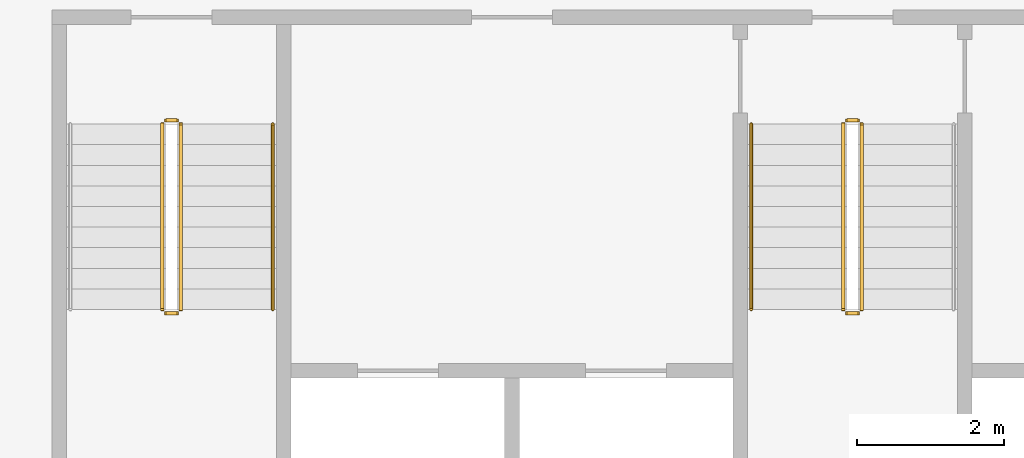
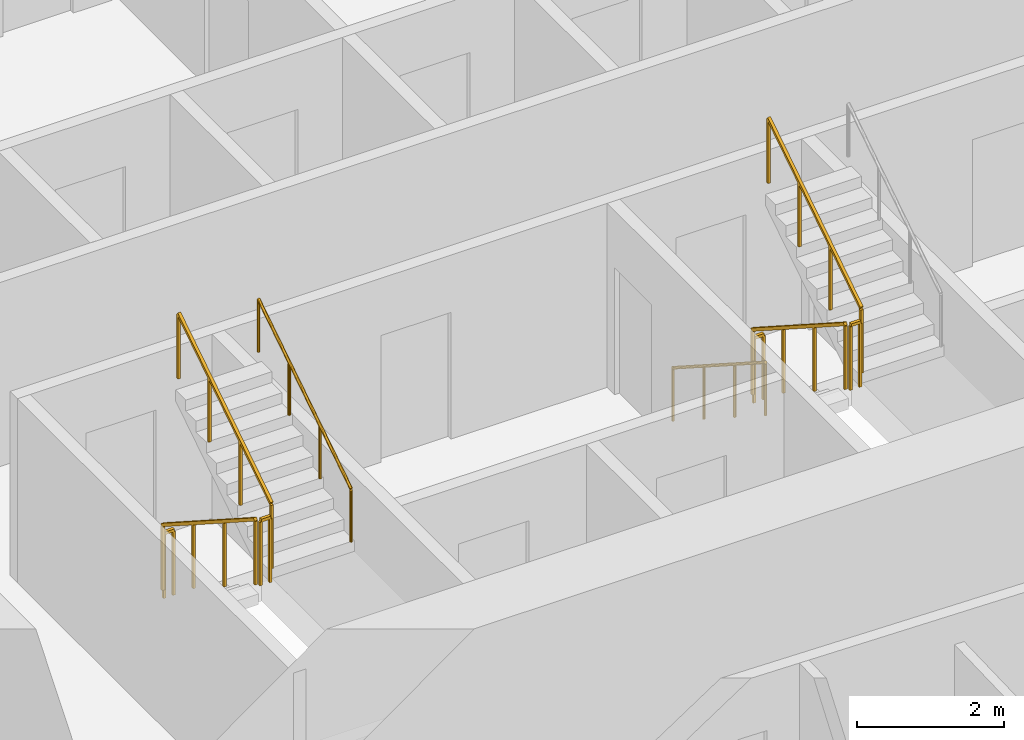
# One storey, part 14 of 16: 10 railings.
"""IFC4 building model written with IfcOpenShell, lengths in metres."""

from ifc_helpers import new_model, si_unit, direction, frame, origin, origin_2d, place, context, subcontext, project, spatial, rectangle, circle, extrude, material, type_object, element, save


model = new_model("IFC4")

# Units and contexts
model_context = context("Model", 3, precision=1e-05, world=origin(), true_north=direction((0.0, 1.0)))
body_context = subcontext(model_context, "Body", "Model", "MODEL_VIEW")
ifc_project = project(units=[si_unit("LENGTHUNIT", "METRE"), si_unit("AREAUNIT", "SQUARE_METRE"), si_unit("VOLUMEUNIT", "CUBIC_METRE"), si_unit("PLANEANGLEUNIT", "RADIAN"), si_unit("MASSUNIT", "GRAM", prefix="KILO")], contexts=[model_context])

# Site, building, storey
site_placement = place(None, origin())
site = spatial("IfcSite", under=ifc_project, at=site_placement, CompositionType="ELEMENT")
building_placement = place(site_placement, origin())
building = spatial("IfcBuilding", under=site, at=building_placement, Name="Mangrove Gate Tower", CompositionType="ELEMENT")
storey_placement = place(building_placement, frame((0.0, 0.0, 112.699951171875)))
storey = spatial("IfcBuildingStorey", under=building, at=storey_placement, Name="L28", CompositionType="ELEMENT", Elevation=112.699951171875)

# Railings
ifc_material_1 = material(Name="Stainless steel 316", Category="steel")
railing_type_1 = type_object("IfcRailingType", Name="Core stair guard 1100", PredefinedType="GUARDRAIL", material=ifc_material_1)
railing_1_placement = place(storey_placement, frame((-9.39990234375, -4.64990234375, 0.179931640625)))
element("IfcRailing", 1, at=railing_1_placement, inside=storey, type_object=railing_type_1, Name="L28 ST1 stair guard 1", PredefinedType="GUARDRAIL", context=body_context, shape_type="SweptSolid", body=[
    extrude(rectangle(XDim=0.048095703125, YDim=0.048095703125, at=origin_2d()), frame((0.0, 0.0, 1.076171875), z_axis=(0.0, -0.841162588446, 0.540782303519), x_axis=(1.0, 0.0, 0.0)), (0.0, 0.0, 1.0), 2.995849609375),
    extrude(rectangle(XDim=0.0419921875, YDim=0.0419921875, at=origin_2d()), origin(), (0.0, 0.0, 1.0), 1.052001953125),
    extrude(rectangle(XDim=0.0419921875, YDim=0.0419921875, at=origin_2d()), frame((0.0, -0.840087890625, 0.5400390625)), (0.0, 0.0, 1.0), 1.052001953125),
    extrude(rectangle(XDim=0.0419921875, YDim=0.0419921875, at=origin_2d()), frame((0.0, -1.679931640625, 1.080078125)), (0.0, 0.0, 1.0), 1.052001953125),
    extrude(rectangle(XDim=0.0419921875, YDim=0.0419921875, at=origin_2d()), frame((0.0, -2.52001953125, 1.6201171875)), (0.0, 0.0, 1.0), 1.052001953125),
])
railing_2_placement = place(storey_placement, frame((-9.35009765625, -7.219970703125, 1.800048828125)))
element("IfcRailing", 2, at=railing_2_placement, inside=storey, type_object=railing_type_1, Name="L28 ST1 stair guard 2", PredefinedType="GUARDRAIL", context=body_context, shape_type="SweptSolid", body=[
    extrude(rectangle(XDim=0.048095703125, YDim=0.048095703125, at=origin_2d()), frame((0.0, 0.0, 1.076171875), z_axis=(1.0, 0.0, 0.0), x_axis=(0.0, 1.0, 0.0)), (0.0, 0.0, 1.0), 0.150146484375),
    extrude(rectangle(XDim=0.0419921875, YDim=0.0419921875, at=origin_2d()), origin(), (0.0, 0.0, 1.0), 1.052001953125),
    extrude(rectangle(XDim=0.0419921875, YDim=0.0419921875, at=origin_2d()), frame((0.150146484375, 0.0, 0.0)), (0.0, 0.0, 1.0), 1.052001953125),
])
railing_3_placement = place(storey_placement, frame((-9.14990234375, -7.169921875, 1.97998046875)))
element("IfcRailing", 3, at=railing_3_placement, inside=storey, type_object=railing_type_1, Name="L28 ST1 stair guard 3", PredefinedType="GUARDRAIL", context=body_context, shape_type="SweptSolid", body=[
    extrude(rectangle(XDim=0.048095703125, YDim=0.048095703125, at=origin_2d()), frame((0.0, 0.0, 1.076171875), z_axis=(0.0, 0.841162588446, 0.540782303519), x_axis=(-1.0, 0.0, 0.0)), (0.0, 0.0, 1.0), 2.995849609375),
    extrude(rectangle(XDim=0.0419921875, YDim=0.0419921875, at=origin_2d()), origin(), (0.0, 0.0, 1.0), 1.052001953125),
    extrude(rectangle(XDim=0.0419921875, YDim=0.0419921875, at=origin_2d()), frame((0.0, 0.840087890625, 0.5400390625)), (0.0, 0.0, 1.0), 1.052001953125),
    extrude(rectangle(XDim=0.0419921875, YDim=0.0419921875, at=origin_2d()), frame((0.0, 1.679931640625, 1.080078125)), (0.0, 0.0, 1.0), 1.052001953125),
    extrude(rectangle(XDim=0.0419921875, YDim=0.0419921875, at=origin_2d()), frame((0.0, 2.52001953125, 1.6201171875)), (0.0, 0.0, 1.0), 1.052001953125),
])
railing_4_placement = place(storey_placement, frame((-9.35009765625, -4.60009765625, 0.0)))
element("IfcRailing", 4, at=railing_4_placement, inside=storey, type_object=railing_type_1, Name="L28 ST1 stair guard 4", PredefinedType="GUARDRAIL", context=body_context, shape_type="SweptSolid", body=[
    extrude(rectangle(XDim=0.048095703125, YDim=0.048095703125, at=origin_2d()), frame((0.0, 0.0, 1.076171875), z_axis=(1.0, 0.0, 0.0), x_axis=(0.0, 1.0, 0.0)), (0.0, 0.0, 1.0), 0.150146484375),
    extrude(rectangle(XDim=0.0419921875, YDim=0.0419921875, at=origin_2d()), origin(), (0.0, 0.0, 1.0), 1.052001953125),
    extrude(rectangle(XDim=0.0419921875, YDim=0.0419921875, at=origin_2d()), frame((0.150146484375, 0.0, 0.0)), (0.0, 0.0, 1.0), 1.052001953125),
])
railing_5_placement = place(storey_placement, frame((-0.14990234375, -4.64990234375, 0.179931640625)))
element("IfcRailing", 5, at=railing_5_placement, inside=storey, type_object=railing_type_1, Name="L28 ST2 stair guard 1", PredefinedType="GUARDRAIL", context=body_context, shape_type="SweptSolid", body=[
    extrude(rectangle(XDim=0.048095703125, YDim=0.048095703125, at=origin_2d()), frame((0.0, 0.0, 1.076171875), z_axis=(0.0, -0.841162588446, 0.540782303519), x_axis=(1.0, 0.0, 0.0)), (0.0, 0.0, 1.0), 2.995849609375),
    extrude(rectangle(XDim=0.0419921875, YDim=0.0419921875, at=origin_2d()), origin(), (0.0, 0.0, 1.0), 1.052001953125),
    extrude(rectangle(XDim=0.0419921875, YDim=0.0419921875, at=origin_2d()), frame((0.0, -0.840087890625, 0.5400390625)), (0.0, 0.0, 1.0), 1.052001953125),
    extrude(rectangle(XDim=0.0419921875, YDim=0.0419921875, at=origin_2d()), frame((0.0, -1.679931640625, 1.080078125)), (0.0, 0.0, 1.0), 1.052001953125),
    extrude(rectangle(XDim=0.0419921875, YDim=0.0419921875, at=origin_2d()), frame((0.0, -2.52001953125, 1.6201171875)), (0.0, 0.0, 1.0), 1.052001953125),
])
railing_6_placement = place(storey_placement, frame((-0.10009765625, -7.219970703125, 1.800048828125)))
element("IfcRailing", 6, at=railing_6_placement, inside=storey, type_object=railing_type_1, Name="L28 ST2 stair guard 2", PredefinedType="GUARDRAIL", context=body_context, shape_type="SweptSolid", body=[
    extrude(rectangle(XDim=0.048095703125, YDim=0.048095703125, at=origin_2d()), frame((0.0, 0.0, 1.076171875), z_axis=(1.0, 0.0, 0.0), x_axis=(0.0, 1.0, 0.0)), (0.0, 0.0, 1.0), 0.150146484375),
    extrude(rectangle(XDim=0.0419921875, YDim=0.0419921875, at=origin_2d()), origin(), (0.0, 0.0, 1.0), 1.052001953125),
    extrude(rectangle(XDim=0.0419921875, YDim=0.0419921875, at=origin_2d()), frame((0.150146484375, 0.0, 0.0)), (0.0, 0.0, 1.0), 1.052001953125),
])
railing_7_placement = place(storey_placement, frame((0.10009765625, -7.169921875, 1.97998046875)))
element("IfcRailing", 7, at=railing_7_placement, inside=storey, type_object=railing_type_1, Name="L28 ST2 stair guard 3", PredefinedType="GUARDRAIL", context=body_context, shape_type="SweptSolid", body=[
    extrude(rectangle(XDim=0.048095703125, YDim=0.048095703125, at=origin_2d()), frame((0.0, 0.0, 1.076171875), z_axis=(0.0, 0.841162588446, 0.540782303519), x_axis=(-1.0, 0.0, 0.0)), (0.0, 0.0, 1.0), 2.995849609375),
    extrude(rectangle(XDim=0.0419921875, YDim=0.0419921875, at=origin_2d()), origin(), (0.0, 0.0, 1.0), 1.052001953125),
    extrude(rectangle(XDim=0.0419921875, YDim=0.0419921875, at=origin_2d()), frame((0.0, 0.840087890625, 0.5400390625)), (0.0, 0.0, 1.0), 1.052001953125),
    extrude(rectangle(XDim=0.0419921875, YDim=0.0419921875, at=origin_2d()), frame((0.0, 1.679931640625, 1.080078125)), (0.0, 0.0, 1.0), 1.052001953125),
    extrude(rectangle(XDim=0.0419921875, YDim=0.0419921875, at=origin_2d()), frame((0.0, 2.52001953125, 1.6201171875)), (0.0, 0.0, 1.0), 1.052001953125),
])
railing_8_placement = place(storey_placement, frame((-0.10009765625, -4.60009765625, 0.0)))
element("IfcRailing", 8, at=railing_8_placement, inside=storey, type_object=railing_type_1, Name="L28 ST2 stair guard 4", PredefinedType="GUARDRAIL", context=body_context, shape_type="SweptSolid", body=[
    extrude(rectangle(XDim=0.048095703125, YDim=0.048095703125, at=origin_2d()), frame((0.0, 0.0, 1.076171875), z_axis=(1.0, 0.0, 0.0), x_axis=(0.0, 1.0, 0.0)), (0.0, 0.0, 1.0), 0.150146484375),
    extrude(rectangle(XDim=0.0419921875, YDim=0.0419921875, at=origin_2d()), origin(), (0.0, 0.0, 1.0), 1.052001953125),
    extrude(rectangle(XDim=0.0419921875, YDim=0.0419921875, at=origin_2d()), frame((0.150146484375, 0.0, 0.0)), (0.0, 0.0, 1.0), 1.052001953125),
])
ifc_material_2 = material(Name="Stainless steel 316", Category="steel")
railing_type_2 = type_object("IfcRailingType", Name="Core stair handrail 900", PredefinedType="HANDRAIL", material=ifc_material_2)
railing_9_placement = place(storey_placement, frame((-7.89990234375, -7.169921875, 1.97998046875)))
element("IfcRailing", 9, at=railing_9_placement, inside=storey, type_object=railing_type_2, Name="L28 ST1 stair handrail 2", PredefinedType="HANDRAIL", context=body_context, shape_type="SweptSolid", body=[
    extrude(circle(Radius=0.02392578125, at=origin_2d()), frame((0.0, 0.0, 0.8759765625), z_axis=(0.0, 0.841162588446, 0.540782303519), x_axis=(-1.0, 0.0, 0.0)), (0.0, 0.0, 1.0), 2.995849609375),
    extrude(circle(Radius=0.02099609375, at=origin_2d()), origin(), (0.0, 0.0, 1.0), 0.851806640625),
    extrude(circle(Radius=0.02099609375, at=origin_2d()), frame((0.0, 0.840087890625, 0.5400390625)), (0.0, 0.0, 1.0), 0.851806640625),
    extrude(circle(Radius=0.02099609375, at=origin_2d()), frame((0.0, 1.679931640625, 1.080078125)), (0.0, 0.0, 1.0), 0.851806640625),
    extrude(circle(Radius=0.02099609375, at=origin_2d()), frame((0.0, 2.52001953125, 1.6201171875)), (0.0, 0.0, 1.0), 0.851806640625),
])
railing_10_placement = place(storey_placement, frame((-1.39990234375, -4.64990234375, 0.179931640625)))
element("IfcRailing", 10, at=railing_10_placement, inside=storey, type_object=railing_type_2, Name="L28 ST2 stair handrail 1", PredefinedType="HANDRAIL", context=body_context, shape_type="SweptSolid", body=[
    extrude(circle(Radius=0.02392578125, at=origin_2d()), frame((0.0, 0.0, 0.8759765625), z_axis=(0.0, -0.841162588446, 0.540782303519), x_axis=(1.0, 0.0, 0.0)), (0.0, 0.0, 1.0), 2.995849609375),
    extrude(circle(Radius=0.02099609375, at=origin_2d()), origin(), (0.0, 0.0, 1.0), 0.851806640625),
    extrude(circle(Radius=0.02099609375, at=origin_2d()), frame((0.0, -0.840087890625, 0.5400390625)), (0.0, 0.0, 1.0), 0.851806640625),
    extrude(circle(Radius=0.02099609375, at=origin_2d()), frame((0.0, -1.679931640625, 1.080078125)), (0.0, 0.0, 1.0), 0.851806640625),
    extrude(circle(Radius=0.02099609375, at=origin_2d()), frame((0.0, -2.52001953125, 1.6201171875)), (0.0, 0.0, 1.0), 0.851806640625),
])

save(model, "model.ifc")
